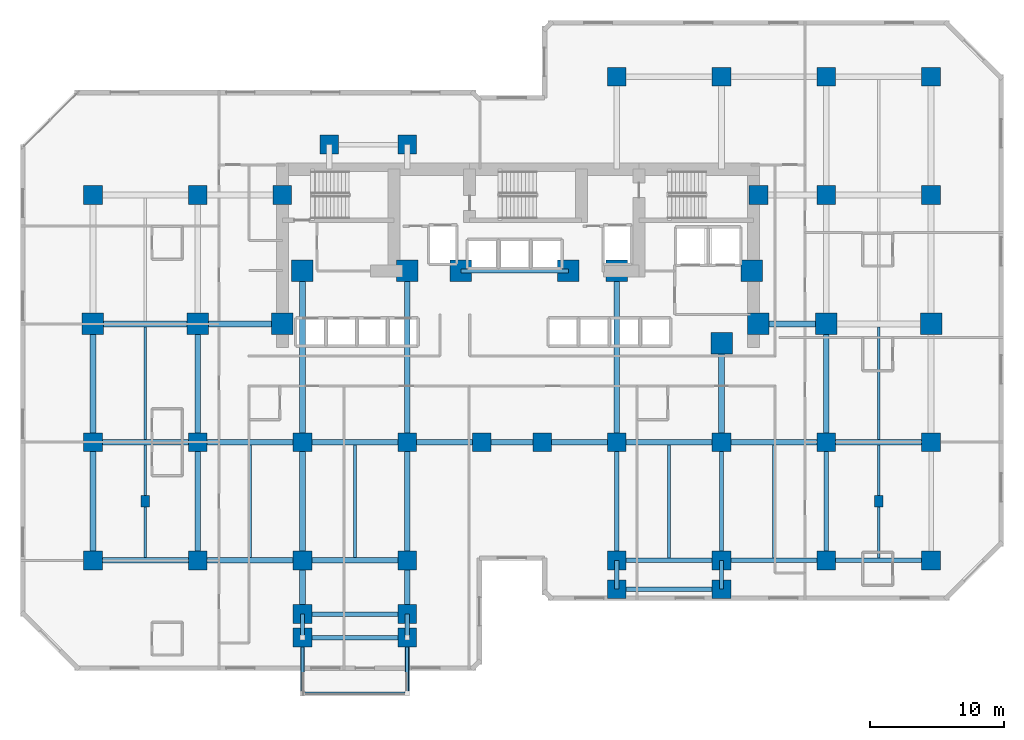
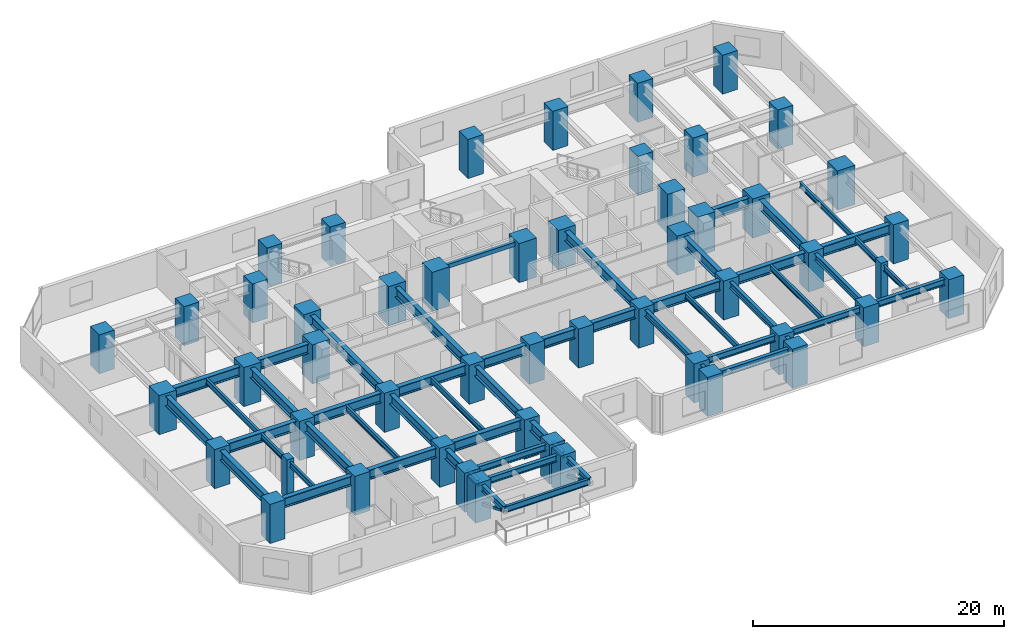
# One storey, part 1 of 11: 53 beams, 51 columns, 2 members.
"""IFC4 building model written with IfcOpenShell, lengths in metres."""

import ifcopenshell
import ifcopenshell.guid

model = None  # the IFC model being written
_history = None  # IfcOwnerHistory: only IFC2X3 demands one
_inside = {}  # id of a spatial element -> (the spatial element, [elements in it])
_under = {}  # id of a project, library or spatial element -> (it, [spatial elements below it])
_declared = {}  # id of a project -> (the project, [libraries it declares])
_typed = {}  # id of a type object -> (the type object, [elements of that type])
_made_of = {}  # id of a material, layer set ... -> (it, [elements and type objects made of it])


def new_model(schema):
    """Start an empty IFC model of exactly this schema.

    Asked for "IFC4X3", IfcOpenShell would pick the latest addendum, in which some entities
    have other attributes; the version numbers below select the first issue.
    IFC2X3 requires an IfcOwnerHistory on every rooted entity: one is made here for all.
    """
    global model, _history
    if schema == "IFC4X3":
        model = ifcopenshell.file(schema_version=(4, 3, 0, 0))
    else:
        model = ifcopenshell.file(schema=schema)
    _inside.clear()
    _under.clear()
    _declared.clear()
    _typed.clear()
    _made_of.clear()
    _history = None
    if model.schema == "IFC2X3":
        org = make("IfcOrganization", Name="unknown")
        user = make(
            "IfcPersonAndOrganization",
            ThePerson=make("IfcPerson", FamilyName="unknown"),
            TheOrganization=org,
        )
        app = make(
            "IfcApplication",
            ApplicationDeveloper=org,
            Version="unknown",
            ApplicationFullName="unknown",
            ApplicationIdentifier="unknown",
        )
        _history = make(
            "IfcOwnerHistory",
            OwningUser=user,
            OwningApplication=app,
            ChangeAction="ADDED",
            CreationDate=0,
        )
    return model


def make(cls, **values):
    """One entity of the class cls with the attributes given. An attribute that is None is left unset."""
    return model.create_entity(
        cls, **{name: value for name, value in values.items() if value is not None}
    )


def rooted(cls, **values):
    """An entity with a GlobalId (a new one), such as an element, a storey or a relation."""
    return make(cls, GlobalId=ifcopenshell.guid.new(), OwnerHistory=_history, **values)


def si_unit(unit_type, name, prefix=None):
    """IfcSIUnit, for example si_unit("LENGTHUNIT", "METRE", prefix="MILLI")."""
    return make("IfcSIUnit", UnitType=unit_type, Prefix=prefix, Name=name)


def assignment(units):
    """IfcUnitAssignment: the units of a project."""
    return None if units is None else make("IfcUnitAssignment", Units=units)


def point(xyz):
    """IfcCartesianPoint."""
    return None if xyz is None else make("IfcCartesianPoint", Coordinates=xyz)


def direction(xyz):
    """IfcDirection."""
    return None if xyz is None else make("IfcDirection", DirectionRatios=xyz)


def frame(location, z_axis=None, x_axis=None):
    """IfcAxis2Placement3D, a coordinate frame: its origin and axes. An axis left out is left unset."""
    return make(
        "IfcAxis2Placement3D",
        Location=point(location),
        Axis=direction(z_axis),
        RefDirection=direction(x_axis),
    )


def frame_2d(location, x_axis=None):
    """IfcAxis2Placement2D, a coordinate frame in the plane: its origin and x axis."""
    return make(
        "IfcAxis2Placement2D", Location=point(location), RefDirection=direction(x_axis)
    )


def origin():
    """The frame at (0, 0, 0) with its axes left unset."""
    return frame((0.0, 0.0, 0.0))


def origin_2d():
    """The frame at (0, 0) in the plane with its x axis left unset."""
    return frame_2d((0.0, 0.0))


def place(relative_to, where):
    """IfcLocalPlacement: puts the frame where relative to a parent placement (None: the world)."""
    return make(
        "IfcLocalPlacement", PlacementRelTo=relative_to, RelativePlacement=where
    )


def context(
    kind, dimensions, precision=None, world=None, true_north=None, identifier=None
):
    """IfcGeometricRepresentationContext, for example the 3D "Model" context."""
    return make(
        "IfcGeometricRepresentationContext",
        ContextIdentifier=identifier,
        ContextType=kind,
        CoordinateSpaceDimension=dimensions,
        Precision=precision,
        WorldCoordinateSystem=world,
        TrueNorth=true_north,
    )


def subcontext(parent, identifier, kind, view, scale=None):
    """IfcGeometricRepresentationSubContext, for example "Body" below "Model"."""
    return make(
        "IfcGeometricRepresentationSubContext",
        ContextIdentifier=identifier,
        ContextType=kind,
        ParentContext=parent,
        TargetScale=scale,
        TargetView=view,
    )


def project(units=None, contexts=None):
    """IfcProject with its units and contexts."""
    return rooted(
        "IfcProject",
        Name="project",
        RepresentationContexts=contexts,
        UnitsInContext=assignment(units),
    )


def spatial(cls, under=None, at=None, **own):
    """A site, building, storey or space (cls), placed at a placement, below another one or the project."""
    s = rooted(cls, ObjectPlacement=at, **own)
    if under is not None:
        _under.setdefault(under.id(), (under, []))[1].append(s)
    return s


def profile(cls, at=None, kind="AREA", **sizes):
    """A parametric profile (cls). Its sizes go by their IFC names, for example OverallWidth=200.0."""
    return make(cls, ProfileType=kind, Position=at, **sizes)


def rectangle(**sizes):
    """IfcRectangleProfileDef."""
    return profile("IfcRectangleProfileDef", **sizes)


def hollow_rectangle(**sizes):
    """IfcRectangleHollowProfileDef."""
    return profile("IfcRectangleHollowProfileDef", **sizes)


def i_section(**sizes):
    """IfcIShapeProfileDef."""
    return profile("IfcIShapeProfileDef", **sizes)


def extrude(swept, where, along, depth):
    """IfcExtrudedAreaSolid: the profile swept, set in the frame where, extruded along a direction by depth."""
    return make(
        "IfcExtrudedAreaSolid",
        SweptArea=swept,
        Position=where,
        ExtrudedDirection=direction(along),
        Depth=depth,
    )


def shape(context_of_items, identifier, shape_type, items):
    """IfcShapeRepresentation: the items that make up one representation, for example the "Body"."""
    return make(
        "IfcShapeRepresentation",
        ContextOfItems=context_of_items,
        RepresentationIdentifier=identifier,
        RepresentationType=shape_type,
        Items=items,
    )


def material(Name=None, Category=None):
    """IfcMaterial."""
    return make("IfcMaterial", Name=Name, Category=Category)


def material_profile(
    of_material, cross_section, Name=None, Category=None, Priority=None
):
    """IfcMaterialProfile: a cross section and its material."""
    return make(
        "IfcMaterialProfile",
        Name=Name,
        Material=of_material,
        Profile=cross_section,
        Priority=Priority,
        Category=Category,
    )


def profile_set(profiles, Name=None, composite=None):
    """IfcMaterialProfileSet."""
    return make(
        "IfcMaterialProfileSet",
        Name=Name,
        MaterialProfiles=profiles,
        CompositeProfile=composite,
    )


def made_of(thing, what):
    """Note that an element or type object is made of a material, layer set ...; save() writes the relation."""
    if what is not None:
        _made_of.setdefault(what.id(), (what, []))[1].append(thing)
    return thing


def type_object(cls, material=None, **own):
    """A type object (cls), such as IfcWallType, which elements share."""
    return made_of(rooted(cls, **own), material)


def element(
    cls,
    number,
    at=None,
    inside=None,
    cuts=None,
    type_object=None,
    material=None,
    context=None,
    identifier="Body",
    shape_type=None,
    held_by="IfcProductDefinitionShape",
    body=None,
    shapes=None,
    **own,
):
    """One element of the class cls, such as IfcWall. Its Tag is "e" and its number.

    at: its placement. inside: the storey or other place that contains it. cuts: it is an
    opening in that element (IfcRelVoidsElement). A single representation is given by context,
    identifier, shape_type and body (its items); several are given by shapes. held_by: the class
    of the entity that holds the representations. save() writes the other relations.
    """
    e = rooted(cls, Tag="e%d" % number, ObjectPlacement=at, **own)
    if body is not None:
        shapes = [shape(context, identifier, shape_type, body)]
    if shapes is not None:
        e.Representation = make(held_by, Representations=shapes)
    if inside is not None:
        _inside.setdefault(inside.id(), (inside, []))[1].append(e)
    if cuts is not None:
        rooted(
            "IfcRelVoidsElement", RelatingBuildingElement=cuts, RelatedOpeningElement=e
        )
    if type_object is not None:
        _typed.setdefault(type_object.id(), (type_object, []))[1].append(e)
    return made_of(e, material)


def aggregate(whole, parts):
    """IfcRelAggregates: a whole, such as a stair, and the parts it consists of."""
    return rooted("IfcRelAggregates", RelatingObject=whole, RelatedObjects=parts)


def save(model, path):
    """Write the relations noted so far, then the file.

    IfcRelAggregates (storeys below a building ...), IfcRelContainedInSpatialStructure (elements
    in a storey), IfcRelDefinesByType, IfcRelAssociatesMaterial and IfcRelDeclares: one each for
    every whole, place, type object, material and project.
    """
    for whole, parts in _under.values():
        aggregate(whole, parts)
    for where, things in _inside.values():
        rooted(
            "IfcRelContainedInSpatialStructure",
            RelatedElements=things,
            RelatingStructure=where,
        )
    for kind, things in _typed.values():
        rooted("IfcRelDefinesByType", RelatedObjects=things, RelatingType=kind)
    for what, things in _made_of.values():
        rooted("IfcRelAssociatesMaterial", RelatedObjects=things, RelatingMaterial=what)
    for by, libraries in _declared.values():
        rooted("IfcRelDeclares", RelatingContext=by, RelatedDefinitions=libraries)
    model.write(path)


model = new_model("IFC4")

# Units and contexts
model_context = context("Model", 3, precision=1e-05, world=origin(), true_north=direction((0.0, 1.0)))
body_context = subcontext(model_context, "Body", "Model", "MODEL_VIEW")
ifc_project = project(units=[si_unit("LENGTHUNIT", "METRE"), si_unit("AREAUNIT", "SQUARE_METRE"), si_unit("VOLUMEUNIT", "CUBIC_METRE"), si_unit("PLANEANGLEUNIT", "RADIAN"), si_unit("MASSUNIT", "GRAM", prefix="KILO")], contexts=[model_context])

# Site, building, storey
site_placement = place(None, origin())
site = spatial("IfcSite", under=ifc_project, at=site_placement, CompositionType="ELEMENT")
building_placement = place(site_placement, origin())
building = spatial("IfcBuilding", under=site, at=building_placement, Name="Kestravale Grand Hotel", CompositionType="ELEMENT")
storey_placement = place(building_placement, frame((0.0, 0.0, 45.0)))
storey = spatial("IfcBuildingStorey", under=building, at=storey_placement, Name="L10", CompositionType="ELEMENT", Elevation=45.0)

# Columns
ifc_material_1 = material(Name="Concrete f'c 70 MPa", Category="concrete")
ifc_material_profile_1 = material_profile(ifc_material_1, rectangle(XDim=1.39990234375, YDim=1.39990234375, at=origin_2d()))
ifc_profile_set_1 = profile_set([ifc_material_profile_1], Name="Concrete f'c 70 MPa")
column_type_1 = type_object("IfcColumnType", Name="C-Z1-1400", PredefinedType="COLUMN", material=ifc_profile_set_1)
for number, where, z_axis, x_axis, name in (
    (1, (7.800048828125, 11.199951171875, 0.0), (0.0, 0.0, 1.0), (1.0, 0.0, 0.0), "L10 column 2-C"),
    (2, (7.800048828125, 20.0, 0.0), (0.0, 0.0, 1.0), (1.0, 0.0, 0.0), "L10 column 2-D"),
    (3, (7.800048828125, 38.39990234375, 0.0), (0.0, 0.0, 1.0), (1.0, 0.0, 0.0), "L10 column 2-F"),
    (4, (15.60009765625, 11.199951171875, 0.0), (0.0, 0.0, 1.0), (1.0, 0.0, 0.0), "L10 column 3-C"),
    (5, (15.60009765625, 20.0, 0.0), (0.0, 0.0, 1.0), (1.0, 0.0, 0.0), "L10 column 3-D"),
    (6, (15.60009765625, 38.39990234375, 0.0), (0.0, 0.0, 1.0), (1.0, 0.0, 0.0), "L10 column 3-F"),
    (7, (23.39990234375, 11.199951171875, 0.0), (0.0, 0.0, 1.0), (1.0, 0.0, 0.0), "L10 column 4-C"),
    (8, (23.39990234375, 20.0, 0.0), (0.0, 0.0, 1.0), (1.0, 0.0, 0.0), "L10 column 4-D"),
    (9, (31.199951171875, 11.199951171875, 0.0), (0.0, 0.0, 1.0), (1.0, 0.0, 0.0), "L10 column 5-C"),
    (10, (31.199951171875, 20.0, 0.0), (0.0, 0.0, 1.0), (1.0, 0.0, 0.0), "L10 column 5-D"),
    (11, (36.75, 20.0, 0.0), (0.0, 0.0, 1.0), (1.0, 0.0, 0.0), "L10 column 6-D"),
    (12, (41.25, 20.0, 0.0), (0.0, 0.0, 1.0), (1.0, 0.0, 0.0), "L10 column 7-D"),
    (13, (46.800048828125, 11.199951171875, 0.0), (0.0, 0.0, 1.0), (1.0, 0.0, 0.0), "L10 column 8-C"),
    (14, (46.800048828125, 20.0, 0.0), (0.0, 0.0, 1.0), (1.0, 0.0, 0.0), "L10 column 8-D"),
    (15, (46.800048828125, 47.199951171875, 0.0), (0.0, 0.0, 1.0), (1.0, 0.0, 0.0), "L10 column 8-G"),
    (16, (54.60009765625, 11.199951171875, 0.0), (0.0, 0.0, 1.0), (1.0, 0.0, 0.0), "L10 column 9-C"),
    (17, (54.60009765625, 20.0, 0.0), (0.0, 0.0, 1.0), (1.0, 0.0, 0.0), "L10 column 9-D"),
    (18, (54.60009765625, 47.199951171875, 0.0), (0.0, 0.0, 1.0), (1.0, 0.0, 0.0), "L10 column 9-G"),
    (19, (62.39990234375, 11.199951171875, 0.0), (0.0, 0.0, 1.0), (1.0, 0.0, 0.0), "L10 column 10-C"),
    (20, (62.39990234375, 20.0, 0.0), (0.0, 0.0, 1.0), (1.0, 0.0, 0.0), "L10 column 10-D"),
    (21, (62.39990234375, 38.39990234375, 0.0), (0.0, 0.0, 1.0), (1.0, 0.0, 0.0), "L10 column 10-F"),
    (22, (62.39990234375, 47.199951171875, 0.0), (0.0, 0.0, 1.0), (1.0, 0.0, 0.0), "L10 column 10-G"),
    (23, (70.199951171875, 11.199951171875, 0.0), (0.0, 0.0, 1.0), (1.0, 0.0, 0.0), "L10 column 11-C"),
    (24, (70.199951171875, 20.0, 0.0), (0.0, 0.0, 1.0), (1.0, 0.0, 0.0), "L10 column 11-D"),
    (25, (70.199951171875, 38.39990234375, 0.0), (0.0, 0.0, 1.0), (1.0, 0.0, 0.0), "L10 column 11-F"),
    (26, (70.199951171875, 47.199951171875, 0.0), (0.0, 0.0, 1.0), (1.0, 0.0, 0.0), "L10 column 11-G"),
    (27, (21.89990234375, 38.39990234375, 0.0), (0.0, 0.0, 1.0), (1.0, 0.0, 0.0), "L10 column CW-F"),
    (28, (57.35009765625, 38.39990234375, 0.0), (0.0, 0.0, 1.0), (1.0, 0.0, 0.0), "L10 column CE-F"),
    (29, (23.39990234375, 7.199951171875, 0.0), (0.0, 0.0, 1.0), (1.0, 0.0, 0.0), "L10 column 4-BS"),
    (30, (31.199951171875, 7.199951171875, 0.0), (0.0, 0.0, 1.0), (1.0, 0.0, 0.0), "L10 column 5-BS"),
    (31, (25.39990234375, 42.14990234375, 0.0), (0.0, 0.0, 1.0), (1.0, 0.0, 0.0), "L10 column 4-FN"),
    (32, (31.199951171875, 42.14990234375, 0.0), (0.0, 0.0, 1.0), (1.0, 0.0, 0.0), "L10 column 5-FN"),
    (33, (23.39990234375, 5.449951171875, 0.0), (0.0, 0.0, 1.0), (1.0, 0.0, 0.0), "L10 column 4-B1S"),
    (34, (31.199951171875, 5.449951171875, 0.0), (0.0, 0.0, 1.0), (1.0, 0.0, 0.0), "L10 column 5-B1S"),
    (35, (46.800048828125, 9.050048828125, 0.0), (0.0, 0.0, 1.0), (1.0, 0.0, 0.0), "L10 column 8-B1E"),
    (36, (54.60009765625, 9.050048828125, 0.0), (0.0, 0.0, 1.0), (1.0, 0.0, 0.0), "L10 column 9-B1E"),
):
    element("IfcColumn", number, at=place(storey_placement, frame(where, z_axis=z_axis, x_axis=x_axis)), inside=storey, type_object=column_type_1, Name=name, PredefinedType="COLUMN", context=body_context, shape_type="SweptSolid", body=[
        extrude(rectangle(XDim=1.39990234375, YDim=1.39990234375, at=origin_2d()), origin(), (0.0, 0.0, 1.0), 3.800048828125),
    ])
ifc_material_2 = material(Name="Concrete f'c 70 MPa", Category="concrete")
ifc_material_profile_2 = material_profile(ifc_material_2, rectangle(XDim=1.60009765625, YDim=1.60009765625, at=origin_2d()))
ifc_profile_set_2 = profile_set([ifc_material_profile_2], Name="Concrete f'c 70 MPa")
column_type_2 = type_object("IfcColumnType", Name="C-Z1-1600", PredefinedType="COLUMN", material=ifc_profile_set_2)
for number, where, z_axis, x_axis, name in (
    (37, (7.800048828125, 28.800048828125, 0.0), (0.0, 0.0, 1.0), (1.0, 0.0, 0.0), "L10 column 2-E"),
    (38, (15.60009765625, 28.800048828125, 0.0), (0.0, 0.0, 1.0), (1.0, 0.0, 0.0), "L10 column 3-E"),
    (39, (62.39990234375, 28.800048828125, 0.0), (0.0, 0.0, 1.0), (1.0, 0.0, 0.0), "L10 column 10-E"),
    (40, (70.199951171875, 28.800048828125, 0.0), (0.0, 0.0, 1.0), (1.0, 0.0, 0.0), "L10 column 11-E"),
    (41, (21.89990234375, 28.800048828125, 0.0), (0.0, 0.0, 1.0), (1.0, 0.0, 0.0), "L10 column CW-E"),
    (42, (57.35009765625, 28.800048828125, 0.0), (0.0, 0.0, 1.0), (1.0, 0.0, 0.0), "L10 column CE-E"),
    (43, (23.39990234375, 32.75, 0.0), (0.0, 0.0, 1.0), (1.0, 0.0, 0.0), "L10 column 4-CS"),
    (44, (31.199951171875, 32.75, 0.0), (0.0, 0.0, 1.0), (1.0, 0.0, 0.0), "L10 column 5-CS"),
    (45, (35.199951171875, 32.75, 0.0), (0.0, 0.0, 1.0), (1.0, 0.0, 0.0), "L10 column 6C-CS"),
    (46, (43.199951171875, 32.75, 0.0), (0.0, 0.0, 1.0), (1.0, 0.0, 0.0), "L10 column 7C-CS"),
    (47, (46.800048828125, 32.75, 0.0), (0.0, 0.0, 1.0), (1.0, 0.0, 0.0), "L10 column 8-CS"),
    (48, (54.60009765625, 27.35009765625, 0.0), (0.0, 0.0, 1.0), (1.0, 0.0, 0.0), "L10 column 9-CS"),
    (49, (56.85009765625, 32.75, 0.0), (0.0, 0.0, 1.0), (1.0, 0.0, 0.0), "L10 column 9C-CS"),
):
    element("IfcColumn", number, at=place(storey_placement, frame(where, z_axis=z_axis, x_axis=x_axis)), inside=storey, type_object=column_type_2, Name=name, PredefinedType="COLUMN", context=body_context, shape_type="SweptSolid", body=[
        extrude(rectangle(XDim=1.60009765625, YDim=1.60009765625, at=origin_2d()), origin(), (0.0, 0.0, 1.0), 3.800048828125),
    ])
ifc_material_3 = material(Name="Precast concrete f'c 45 MPa", Category="concrete")
ifc_material_profile_3 = material_profile(ifc_material_3, rectangle(XDim=0.64990234375, YDim=0.85009765625, at=origin_2d()))
ifc_profile_set_3 = profile_set([ifc_material_profile_3], Name="Precast concrete f'c 45 MPa")
column_type_3 = type_object("IfcColumnType", Name="C-Z1-PIL850", PredefinedType="PILASTER", material=ifc_profile_set_3)
for number, where, z_axis, x_axis, name in (
    (50, (11.699951171875, 15.60009765625, 0.0), (0.0, 0.0, 1.0), (1.0, 0.0, 0.0), "L10 Art Deco fluted pilaster P1"),
    (51, (66.300048828125, 15.60009765625, 0.0), (0.0, 0.0, 1.0), (1.0, 0.0, 0.0), "L10 Art Deco fluted pilaster P2"),
):
    element("IfcColumn", number, at=place(storey_placement, frame(where, z_axis=z_axis, x_axis=x_axis)), inside=storey, type_object=column_type_3, Name=name, PredefinedType="PILASTER", context=body_context, shape_type="SweptSolid", body=[
        extrude(rectangle(XDim=0.64990234375, YDim=0.85009765625, at=origin_2d()), origin(), (0.0, 0.0, 1.0), 3.800048828125),
    ])

# Beams
ifc_material_4 = material(Name="Steel ASTM A992 Grade 50", Category="steel")
ifc_material_profile_4 = material_profile(ifc_material_4, i_section(OverallWidth=0.2099609375, OverallDepth=0.535888671875, WebThickness=0.010986328125, FlangeThickness=0.017333984375, FilletRadius=0.017578125, at=origin_2d()))
ifc_profile_set_4 = profile_set([ifc_material_profile_4], Name="Steel ASTM A992 Grade 50")
beam_type_1 = type_object("IfcBeamType", Name="B-FLR-JST21", PredefinedType="JOIST", material=ifc_profile_set_4)
for number, where, z_axis, x_axis, name in (
    (52, (11.699951171875, 11.412109375, 3.27197265625), (0.0, 1.0, 0.0), (-1.0, 0.0, 0.0), "L10 floor joist 2-3/C-D #1"),
    (53, (11.699951171875, 20.2119140625, 3.27197265625), (0.0, 1.0, 0.0), (-1.0, 0.0, 0.0), "L10 floor joist 2-3/D-E #1"),
    (54, (19.5, 11.412109375, 3.27197265625), (0.0, 1.0, 0.0), (-1.0, 0.0, 0.0), "L10 floor joist 3-4/C-D #1"),
    (55, (27.300048828125, 11.412109375, 3.27197265625), (0.0, 1.0, 0.0), (-1.0, 0.0, 0.0), "L10 floor joist 4-5/C-D #1"),
):
    element("IfcBeam", number, at=place(storey_placement, frame(where, z_axis=z_axis, x_axis=x_axis)), inside=storey, type_object=beam_type_1, Name=name, PredefinedType="JOIST", context=body_context, shape_type="SweptSolid", body=[
        extrude(i_section(OverallWidth=0.2099609375, OverallDepth=0.535888671875, WebThickness=0.010986328125, FlangeThickness=0.017333984375, FilletRadius=0.017578125, at=origin_2d()), origin(), (0.0, 0.0, 1.0), 8.3759765625),
    ])
for number, where, z_axis, x_axis, name in (
    (56, (50.699951171875, 11.362548828125, 3.27197265625), (0.0, 1.0, 0.0), (-1.0, 0.0, 0.0), "L10 floor joist 8-9/C-D #1"),
    (57, (58.5, 11.362548828125, 3.27197265625), (0.0, 1.0, 0.0), (-1.0, 0.0, 0.0), "L10 floor joist 9-10/C-D #1"),
    (58, (66.300048828125, 11.362548828125, 3.27197265625), (0.0, 1.0, 0.0), (-1.0, 0.0, 0.0), "L10 floor joist 10-11/C-D #1"),
):
    element("IfcBeam", number, at=place(storey_placement, frame(where, z_axis=z_axis, x_axis=x_axis)), inside=storey, type_object=beam_type_1, Name=name, PredefinedType="JOIST", context=body_context, shape_type="SweptSolid", body=[
        extrude(i_section(OverallWidth=0.2099609375, OverallDepth=0.535888671875, WebThickness=0.010986328125, FlangeThickness=0.017333984375, FilletRadius=0.017578125, at=origin_2d()), origin(), (0.0, 0.0, 1.0), 8.425537109375),
    ])
beam_1_placement = place(storey_placement, frame((66.300048828125, 20.2119140625, 3.27197265625), z_axis=(0.0, 1.0, 0.0), x_axis=(-1.0, 0.0, 0.0)))
element("IfcBeam", 59, at=beam_1_placement, inside=storey, type_object=beam_type_1, Name="L10 floor joist 10-11/D-E #1", PredefinedType="JOIST", context=body_context, shape_type="SweptSolid", body=[
    extrude(i_section(OverallWidth=0.2099609375, OverallDepth=0.535888671875, WebThickness=0.010986328125, FlangeThickness=0.017333984375, FilletRadius=0.017578125, at=origin_2d()), origin(), (0.0, 0.0, 1.0), 8.3759765625),
])
ifc_material_5 = material(Name="Concrete f'c 45 MPa", Category="concrete")
ifc_material_profile_5 = material_profile(ifc_material_5, rectangle(XDim=0.300048828125, YDim=0.39990234375, at=origin_2d()))
ifc_profile_set_5 = profile_set([ifc_material_profile_5], Name="Concrete f'c 45 MPa")
beam_type_2 = type_object("IfcBeamType", Name="B-FLR-LNT400", PredefinedType="LINTEL", material=ifc_profile_set_5)
beam_2_placement = place(storey_placement, frame((35.199951171875, 32.75, 3.340087890625), z_axis=(1.0, 0.0, 0.0), x_axis=(0.0, 1.0, 0.0)))
element("IfcBeam", 60, at=beam_2_placement, inside=storey, type_object=beam_type_2, Name="L10 core portal header lintel", PredefinedType="LINTEL", context=body_context, shape_type="SweptSolid", body=[
    extrude(rectangle(XDim=0.300048828125, YDim=0.39990234375, at=origin_2d()), origin(), (0.0, 0.0, 1.0), 8.0),
])
ifc_material_6 = material(Name="Steel ASTM A992 Grade 50", Category="steel")
ifc_material_profile_6 = material_profile(ifc_material_6, i_section(OverallWidth=0.324951171875, OverallDepth=0.612060546875, WebThickness=0.0126953125, FlangeThickness=0.01904296875, FilletRadius=0.018798828125, at=origin_2d()))
ifc_profile_set_6 = profile_set([ifc_material_profile_6], Name="Steel ASTM A992 Grade 50")
beam_type_3 = type_object("IfcBeamType", Name="B-FLR-W24A", PredefinedType="SPANDREL", material=ifc_profile_set_6)
beam_3_placement = place(storey_placement, frame((46.800048828125, 11.199951171875, 3.23388671875), z_axis=(1.0, 0.0, 0.0), x_axis=(0.0, 1.0, 0.0)))
element("IfcBeam", 61, at=beam_3_placement, inside=storey, type_object=beam_type_3, Name="L10 spandrel C:8-9", PredefinedType="SPANDREL", context=body_context, shape_type="SweptSolid", body=[
    extrude(i_section(OverallWidth=0.324951171875, OverallDepth=0.612060546875, WebThickness=0.0126953125, FlangeThickness=0.01904296875, FilletRadius=0.018798828125, at=origin_2d()), origin(), (0.0, 0.0, 1.0), 7.800048828125),
])
beam_4_placement = place(storey_placement, frame((54.60009765625, 11.199951171875, 3.23388671875), z_axis=(1.0, 0.0, 0.0), x_axis=(0.0, 1.0, 0.0)))
element("IfcBeam", 62, at=beam_4_placement, inside=storey, type_object=beam_type_3, Name="L10 spandrel C:9-10", PredefinedType="SPANDREL", context=body_context, shape_type="SweptSolid", body=[
    extrude(i_section(OverallWidth=0.324951171875, OverallDepth=0.612060546875, WebThickness=0.0126953125, FlangeThickness=0.01904296875, FilletRadius=0.018798828125, at=origin_2d()), origin(), (0.0, 0.0, 1.0), 7.7998046875),
])
for number, where, z_axis, x_axis, name in (
    (63, (62.39990234375, 11.199951171875, 3.23388671875), (1.0, 0.0, 0.0), (0.0, 1.0, 0.0), "L10 spandrel C:10-11"),
    (64, (23.39990234375, 5.449951171875, 3.23388671875), (1.0, 0.0, 0.0), (0.0, 1.0, 0.0), "L10 perimeter tie spandrel B1S:4-5"),
    (65, (46.800048828125, 9.050048828125, 3.23388671875), (1.0, 0.0, 0.0), (0.0, 1.0, 0.0), "L10 perimeter tie spandrel B1E:8-9"),
    (66, (23.39990234375, 7.199951171875, 3.23388671875), (1.0, 0.0, 0.0), (0.0, 1.0, 0.0), "L10 perimeter tie spandrel BS:4-5"),
):
    element("IfcBeam", number, at=place(storey_placement, frame(where, z_axis=z_axis, x_axis=x_axis)), inside=storey, type_object=beam_type_3, Name=name, PredefinedType="SPANDREL", context=body_context, shape_type="SweptSolid", body=[
        extrude(i_section(OverallWidth=0.324951171875, OverallDepth=0.612060546875, WebThickness=0.0126953125, FlangeThickness=0.01904296875, FilletRadius=0.018798828125, at=origin_2d()), origin(), (0.0, 0.0, 1.0), 7.800048828125),
    ])
for number, where, z_axis, x_axis, name in (
    (67, (23.39990234375, 5.449951171875, 3.23388671875), (0.0, 1.0, 0.0), (-1.0, 0.0, 0.0), "L10 spandrel 4:B1S-BS"),
    (68, (31.199951171875, 5.449951171875, 3.23388671875), (0.0, 1.0, 0.0), (-1.0, 0.0, 0.0), "L10 spandrel 5:B1S-BS"),
):
    element("IfcBeam", number, at=place(storey_placement, frame(where, z_axis=z_axis, x_axis=x_axis)), inside=storey, type_object=beam_type_3, Name=name, PredefinedType="SPANDREL", context=body_context, shape_type="SweptSolid", body=[
        extrude(i_section(OverallWidth=0.324951171875, OverallDepth=0.612060546875, WebThickness=0.0126953125, FlangeThickness=0.01904296875, FilletRadius=0.018798828125, at=origin_2d()), origin(), (0.0, 0.0, 1.0), 1.75),
    ])
beam_5_placement = place(storey_placement, frame((46.800048828125, 9.050048828125, 3.23388671875), z_axis=(0.0, 1.0, 0.0), x_axis=(-1.0, 0.0, 0.0)))
element("IfcBeam", 69, at=beam_5_placement, inside=storey, type_object=beam_type_3, Name="L10 spandrel 8:B1E-C", PredefinedType="SPANDREL", context=body_context, shape_type="SweptSolid", body=[
    extrude(i_section(OverallWidth=0.324951171875, OverallDepth=0.612060546875, WebThickness=0.0126953125, FlangeThickness=0.01904296875, FilletRadius=0.018798828125, at=origin_2d()), origin(), (0.0, 0.0, 1.0), 2.14990234375),
])
beam_6_placement = place(storey_placement, frame((46.800048828125, 11.199951171875, 3.23388671875), z_axis=(0.0, 1.0, 0.0), x_axis=(-1.0, 0.0, 0.0)))
element("IfcBeam", 70, at=beam_6_placement, inside=storey, type_object=beam_type_3, Name="L10 spandrel 8:C-D", PredefinedType="SPANDREL", context=body_context, shape_type="SweptSolid", body=[
    extrude(i_section(OverallWidth=0.324951171875, OverallDepth=0.612060546875, WebThickness=0.0126953125, FlangeThickness=0.01904296875, FilletRadius=0.018798828125, at=origin_2d()), origin(), (0.0, 0.0, 1.0), 8.800048828125),
])
beam_7_placement = place(storey_placement, frame((54.60009765625, 9.050048828125, 3.23388671875), z_axis=(0.0, 1.0, 0.0), x_axis=(-1.0, 0.0, 0.0)))
element("IfcBeam", 71, at=beam_7_placement, inside=storey, type_object=beam_type_3, Name="L10 spandrel 9:B1E-C", PredefinedType="SPANDREL", context=body_context, shape_type="SweptSolid", body=[
    extrude(i_section(OverallWidth=0.324951171875, OverallDepth=0.612060546875, WebThickness=0.0126953125, FlangeThickness=0.01904296875, FilletRadius=0.018798828125, at=origin_2d()), origin(), (0.0, 0.0, 1.0), 2.14990234375),
])
for number, where, z_axis, x_axis, name in (
    (72, (54.60009765625, 11.199951171875, 3.23388671875), (0.0, 1.0, 0.0), (-1.0, 0.0, 0.0), "L10 spandrel 9:C-D"),
    (73, (62.39990234375, 11.199951171875, 3.23388671875), (0.0, 1.0, 0.0), (-1.0, 0.0, 0.0), "L10 spandrel 10:C-D"),
):
    element("IfcBeam", number, at=place(storey_placement, frame(where, z_axis=z_axis, x_axis=x_axis)), inside=storey, type_object=beam_type_3, Name=name, PredefinedType="SPANDREL", context=body_context, shape_type="SweptSolid", body=[
        extrude(i_section(OverallWidth=0.324951171875, OverallDepth=0.612060546875, WebThickness=0.0126953125, FlangeThickness=0.01904296875, FilletRadius=0.018798828125, at=origin_2d()), origin(), (0.0, 0.0, 1.0), 8.800048828125),
    ])
for number, where, z_axis, x_axis, name in (
    (74, (23.39990234375, 5.449951171875, 3.22412109375), (0.0, -1.0, 0.0), (1.0, 0.0, 0.0), "L11 terrace cantilever beam 1"),
    (75, (31.199951171875, 5.449951171875, 3.22412109375), (0.0, -1.0, 0.0), (1.0, 0.0, 0.0), "L11 terrace cantilever beam 2"),
):
    element("IfcBeam", number, at=place(storey_placement, frame(where, z_axis=z_axis, x_axis=x_axis)), inside=storey, type_object=beam_type_3, Name=name, PredefinedType="SPANDREL", context=body_context, shape_type="SweptSolid", body=[
        extrude(i_section(OverallWidth=0.324951171875, OverallDepth=0.612060546875, WebThickness=0.0126953125, FlangeThickness=0.01904296875, FilletRadius=0.018798828125, at=origin_2d()), origin(), (0.0, 0.0, 1.0), 4.14990234375),
    ])
ifc_material_7 = material(Name="Steel ASTM A992 Grade 50", Category="steel")
ifc_material_profile_7 = material_profile(ifc_material_7, i_section(OverallWidth=0.22900390625, OverallDepth=0.612060546875, WebThickness=0.011962890625, FlangeThickness=0.01953125, FilletRadius=0.019287109375, at=origin_2d()))
ifc_profile_set_7 = profile_set([ifc_material_profile_7], Name="Steel ASTM A992 Grade 50")
beam_type_4 = type_object("IfcBeamType", Name="B-FLR-W24B", PredefinedType="SPANDREL", material=ifc_profile_set_7)
beam_8_placement = place(storey_placement, frame((23.39990234375, 1.300048828125, 3.22412109375), z_axis=(1.0, 0.0, 0.0), x_axis=(0.0, 1.0, 0.0)))
element("IfcBeam", 76, at=beam_8_placement, inside=storey, type_object=beam_type_4, Name="L11 terrace edge spandrel", PredefinedType="SPANDREL", context=body_context, shape_type="SweptSolid", body=[
    extrude(i_section(OverallWidth=0.22900390625, OverallDepth=0.612060546875, WebThickness=0.011962890625, FlangeThickness=0.01953125, FilletRadius=0.019287109375, at=origin_2d()), origin(), (0.0, 0.0, 1.0), 7.800048828125),
])
ifc_material_8 = material(Name="Steel ASTM A992 Grade 50", Category="steel")
ifc_material_profile_8 = material_profile(ifc_material_8, i_section(OverallWidth=0.424072265625, OverallDepth=0.947021484375, WebThickness=0.02392578125, FlangeThickness=0.042724609375, FilletRadius=0.0283203125, at=origin_2d()))
ifc_profile_set_8 = profile_set([ifc_material_profile_8], Name="Steel ASTM A992 Grade 50")
beam_type_5 = type_object("IfcBeamType", Name="B-GRD-W36", PredefinedType="BEAM", material=ifc_profile_set_8)
beam_9_placement = place(storey_placement, frame((7.800048828125, 11.199951171875, 3.06640625), z_axis=(1.0, 0.0, 0.0), x_axis=(0.0, 1.0, 0.0)))
element("IfcBeam", 77, at=beam_9_placement, inside=storey, type_object=beam_type_5, Name="L10 girder C:2-3", PredefinedType="BEAM", context=body_context, shape_type="SweptSolid", body=[
    extrude(i_section(OverallWidth=0.424072265625, OverallDepth=0.947021484375, WebThickness=0.02392578125, FlangeThickness=0.042724609375, FilletRadius=0.0283203125, at=origin_2d()), origin(), (0.0, 0.0, 1.0), 7.800048828125),
])
beam_10_placement = place(storey_placement, frame((15.60009765625, 11.199951171875, 3.06640625), z_axis=(1.0, 0.0, 0.0), x_axis=(0.0, 1.0, 0.0)))
element("IfcBeam", 78, at=beam_10_placement, inside=storey, type_object=beam_type_5, Name="L10 girder C:3-4", PredefinedType="BEAM", context=body_context, shape_type="SweptSolid", body=[
    extrude(i_section(OverallWidth=0.424072265625, OverallDepth=0.947021484375, WebThickness=0.02392578125, FlangeThickness=0.042724609375, FilletRadius=0.0283203125, at=origin_2d()), origin(), (0.0, 0.0, 1.0), 7.7998046875),
])
for number, where, z_axis, x_axis, name in (
    (79, (23.39990234375, 11.199951171875, 3.06640625), (1.0, 0.0, 0.0), (0.0, 1.0, 0.0), "L10 girder C:4-5"),
    (80, (7.800048828125, 20.0, 3.06640625), (1.0, 0.0, 0.0), (0.0, 1.0, 0.0), "L10 girder D:2-3"),
):
    element("IfcBeam", number, at=place(storey_placement, frame(where, z_axis=z_axis, x_axis=x_axis)), inside=storey, type_object=beam_type_5, Name=name, PredefinedType="BEAM", context=body_context, shape_type="SweptSolid", body=[
        extrude(i_section(OverallWidth=0.424072265625, OverallDepth=0.947021484375, WebThickness=0.02392578125, FlangeThickness=0.042724609375, FilletRadius=0.0283203125, at=origin_2d()), origin(), (0.0, 0.0, 1.0), 7.800048828125),
    ])
beam_11_placement = place(storey_placement, frame((15.60009765625, 20.0, 3.06640625), z_axis=(1.0, 0.0, 0.0), x_axis=(0.0, 1.0, 0.0)))
element("IfcBeam", 81, at=beam_11_placement, inside=storey, type_object=beam_type_5, Name="L10 girder D:3-4", PredefinedType="BEAM", context=body_context, shape_type="SweptSolid", body=[
    extrude(i_section(OverallWidth=0.424072265625, OverallDepth=0.947021484375, WebThickness=0.02392578125, FlangeThickness=0.042724609375, FilletRadius=0.0283203125, at=origin_2d()), origin(), (0.0, 0.0, 1.0), 7.7998046875),
])
beam_12_placement = place(storey_placement, frame((23.39990234375, 20.0, 3.06640625), z_axis=(1.0, 0.0, 0.0), x_axis=(0.0, 1.0, 0.0)))
element("IfcBeam", 82, at=beam_12_placement, inside=storey, type_object=beam_type_5, Name="L10 girder D:4-5", PredefinedType="BEAM", context=body_context, shape_type="SweptSolid", body=[
    extrude(i_section(OverallWidth=0.424072265625, OverallDepth=0.947021484375, WebThickness=0.02392578125, FlangeThickness=0.042724609375, FilletRadius=0.0283203125, at=origin_2d()), origin(), (0.0, 0.0, 1.0), 7.800048828125),
])
beam_13_placement = place(storey_placement, frame((31.199951171875, 20.0, 3.06640625), z_axis=(1.0, 0.0, 0.0), x_axis=(0.0, 1.0, 0.0)))
element("IfcBeam", 83, at=beam_13_placement, inside=storey, type_object=beam_type_5, Name="L10 girder D:5-6", PredefinedType="BEAM", context=body_context, shape_type="SweptSolid", body=[
    extrude(i_section(OverallWidth=0.424072265625, OverallDepth=0.947021484375, WebThickness=0.02392578125, FlangeThickness=0.042724609375, FilletRadius=0.0283203125, at=origin_2d()), origin(), (0.0, 0.0, 1.0), 5.550048828125),
])
beam_14_placement = place(storey_placement, frame((36.75, 20.0, 3.06640625), z_axis=(1.0, 0.0, 0.0), x_axis=(0.0, 1.0, 0.0)))
element("IfcBeam", 84, at=beam_14_placement, inside=storey, type_object=beam_type_5, Name="L10 girder D:6-7", PredefinedType="BEAM", context=body_context, shape_type="SweptSolid", body=[
    extrude(i_section(OverallWidth=0.424072265625, OverallDepth=0.947021484375, WebThickness=0.02392578125, FlangeThickness=0.042724609375, FilletRadius=0.0283203125, at=origin_2d()), origin(), (0.0, 0.0, 1.0), 4.5),
])
beam_15_placement = place(storey_placement, frame((41.25, 20.0, 3.06640625), z_axis=(1.0, 0.0, 0.0), x_axis=(0.0, 1.0, 0.0)))
element("IfcBeam", 85, at=beam_15_placement, inside=storey, type_object=beam_type_5, Name="L10 girder D:7-8", PredefinedType="BEAM", context=body_context, shape_type="SweptSolid", body=[
    extrude(i_section(OverallWidth=0.424072265625, OverallDepth=0.947021484375, WebThickness=0.02392578125, FlangeThickness=0.042724609375, FilletRadius=0.0283203125, at=origin_2d()), origin(), (0.0, 0.0, 1.0), 5.550048828125),
])
beam_16_placement = place(storey_placement, frame((46.800048828125, 20.0, 3.06640625), z_axis=(1.0, 0.0, 0.0), x_axis=(0.0, 1.0, 0.0)))
element("IfcBeam", 86, at=beam_16_placement, inside=storey, type_object=beam_type_5, Name="L10 girder D:8-9", PredefinedType="BEAM", context=body_context, shape_type="SweptSolid", body=[
    extrude(i_section(OverallWidth=0.424072265625, OverallDepth=0.947021484375, WebThickness=0.02392578125, FlangeThickness=0.042724609375, FilletRadius=0.0283203125, at=origin_2d()), origin(), (0.0, 0.0, 1.0), 7.800048828125),
])
beam_17_placement = place(storey_placement, frame((54.60009765625, 20.0, 3.06640625), z_axis=(1.0, 0.0, 0.0), x_axis=(0.0, 1.0, 0.0)))
element("IfcBeam", 87, at=beam_17_placement, inside=storey, type_object=beam_type_5, Name="L10 girder D:9-10", PredefinedType="BEAM", context=body_context, shape_type="SweptSolid", body=[
    extrude(i_section(OverallWidth=0.424072265625, OverallDepth=0.947021484375, WebThickness=0.02392578125, FlangeThickness=0.042724609375, FilletRadius=0.0283203125, at=origin_2d()), origin(), (0.0, 0.0, 1.0), 7.7998046875),
])
for number, where, z_axis, x_axis, name in (
    (88, (62.39990234375, 20.0, 3.06640625), (1.0, 0.0, 0.0), (0.0, 1.0, 0.0), "L10 girder D:10-11"),
    (89, (7.800048828125, 28.800048828125, 3.06640625), (1.0, 0.0, 0.0), (0.0, 1.0, 0.0), "L10 girder E:2-3"),
):
    element("IfcBeam", number, at=place(storey_placement, frame(where, z_axis=z_axis, x_axis=x_axis)), inside=storey, type_object=beam_type_5, Name=name, PredefinedType="BEAM", context=body_context, shape_type="SweptSolid", body=[
        extrude(i_section(OverallWidth=0.424072265625, OverallDepth=0.947021484375, WebThickness=0.02392578125, FlangeThickness=0.042724609375, FilletRadius=0.0283203125, at=origin_2d()), origin(), (0.0, 0.0, 1.0), 7.800048828125),
    ])
beam_18_placement = place(storey_placement, frame((15.60009765625, 28.800048828125, 3.06640625), z_axis=(1.0, 0.0, 0.0), x_axis=(0.0, 1.0, 0.0)))
element("IfcBeam", 90, at=beam_18_placement, inside=storey, type_object=beam_type_5, Name="L10 girder E:3-CW", PredefinedType="BEAM", context=body_context, shape_type="SweptSolid", body=[
    extrude(i_section(OverallWidth=0.424072265625, OverallDepth=0.947021484375, WebThickness=0.02392578125, FlangeThickness=0.042724609375, FilletRadius=0.0283203125, at=origin_2d()), origin(), (0.0, 0.0, 1.0), 6.2998046875),
])
beam_19_placement = place(storey_placement, frame((57.35009765625, 28.800048828125, 3.06640625), z_axis=(1.0, 0.0, 0.0), x_axis=(0.0, 1.0, 0.0)))
element("IfcBeam", 91, at=beam_19_placement, inside=storey, type_object=beam_type_5, Name="L10 girder E:CE-10", PredefinedType="BEAM", context=body_context, shape_type="SweptSolid", body=[
    extrude(i_section(OverallWidth=0.424072265625, OverallDepth=0.947021484375, WebThickness=0.02392578125, FlangeThickness=0.042724609375, FilletRadius=0.0283203125, at=origin_2d()), origin(), (0.0, 0.0, 1.0), 5.0498046875),
])
for number, where, z_axis, x_axis, name in (
    (92, (7.800048828125, 11.199951171875, 3.06640625), (0.0, 1.0, 0.0), (-1.0, 0.0, 0.0), "L10 girder 2:C-D"),
    (93, (7.800048828125, 20.0, 3.06640625), (0.0, 1.0, 0.0), (-1.0, 0.0, 0.0), "L10 girder 2:D-E"),
    (94, (15.60009765625, 11.199951171875, 3.06640625), (0.0, 1.0, 0.0), (-1.0, 0.0, 0.0), "L10 girder 3:C-D"),
    (95, (15.60009765625, 20.0, 3.06640625), (0.0, 1.0, 0.0), (-1.0, 0.0, 0.0), "L10 girder 3:D-E"),
):
    element("IfcBeam", number, at=place(storey_placement, frame(where, z_axis=z_axis, x_axis=x_axis)), inside=storey, type_object=beam_type_5, Name=name, PredefinedType="BEAM", context=body_context, shape_type="SweptSolid", body=[
        extrude(i_section(OverallWidth=0.424072265625, OverallDepth=0.947021484375, WebThickness=0.02392578125, FlangeThickness=0.042724609375, FilletRadius=0.0283203125, at=origin_2d()), origin(), (0.0, 0.0, 1.0), 8.800048828125),
    ])
beam_20_placement = place(storey_placement, frame((23.39990234375, 7.199951171875, 3.06640625), z_axis=(0.0, 1.0, 0.0), x_axis=(-1.0, 0.0, 0.0)))
element("IfcBeam", 96, at=beam_20_placement, inside=storey, type_object=beam_type_5, Name="L10 girder 4:BS-C", PredefinedType="BEAM", context=body_context, shape_type="SweptSolid", body=[
    extrude(i_section(OverallWidth=0.424072265625, OverallDepth=0.947021484375, WebThickness=0.02392578125, FlangeThickness=0.042724609375, FilletRadius=0.0283203125, at=origin_2d()), origin(), (0.0, 0.0, 1.0), 4.0),
])
beam_21_placement = place(storey_placement, frame((23.39990234375, 11.199951171875, 3.06640625), z_axis=(0.0, 1.0, 0.0), x_axis=(-1.0, 0.0, 0.0)))
element("IfcBeam", 97, at=beam_21_placement, inside=storey, type_object=beam_type_5, Name="L10 girder 4:C-D", PredefinedType="BEAM", context=body_context, shape_type="SweptSolid", body=[
    extrude(i_section(OverallWidth=0.424072265625, OverallDepth=0.947021484375, WebThickness=0.02392578125, FlangeThickness=0.042724609375, FilletRadius=0.0283203125, at=origin_2d()), origin(), (0.0, 0.0, 1.0), 8.800048828125),
])
beam_22_placement = place(storey_placement, frame((23.39990234375, 20.0, 3.06640625), z_axis=(0.0, 1.0, 0.0), x_axis=(-1.0, 0.0, 0.0)))
element("IfcBeam", 98, at=beam_22_placement, inside=storey, type_object=beam_type_5, Name="L10 girder 4:D-CS", PredefinedType="BEAM", context=body_context, shape_type="SweptSolid", body=[
    extrude(i_section(OverallWidth=0.424072265625, OverallDepth=0.947021484375, WebThickness=0.02392578125, FlangeThickness=0.042724609375, FilletRadius=0.0283203125, at=origin_2d()), origin(), (0.0, 0.0, 1.0), 12.75),
])
beam_23_placement = place(storey_placement, frame((31.199951171875, 7.199951171875, 3.06640625), z_axis=(0.0, 1.0, 0.0), x_axis=(-1.0, 0.0, 0.0)))
element("IfcBeam", 99, at=beam_23_placement, inside=storey, type_object=beam_type_5, Name="L10 girder 5:BS-C", PredefinedType="BEAM", context=body_context, shape_type="SweptSolid", body=[
    extrude(i_section(OverallWidth=0.424072265625, OverallDepth=0.947021484375, WebThickness=0.02392578125, FlangeThickness=0.042724609375, FilletRadius=0.0283203125, at=origin_2d()), origin(), (0.0, 0.0, 1.0), 4.0),
])
beam_24_placement = place(storey_placement, frame((31.199951171875, 11.199951171875, 3.06640625), z_axis=(0.0, 1.0, 0.0), x_axis=(-1.0, 0.0, 0.0)))
element("IfcBeam", 100, at=beam_24_placement, inside=storey, type_object=beam_type_5, Name="L10 girder 5:C-D", PredefinedType="BEAM", context=body_context, shape_type="SweptSolid", body=[
    extrude(i_section(OverallWidth=0.424072265625, OverallDepth=0.947021484375, WebThickness=0.02392578125, FlangeThickness=0.042724609375, FilletRadius=0.0283203125, at=origin_2d()), origin(), (0.0, 0.0, 1.0), 8.800048828125),
])
for number, where, z_axis, x_axis, name in (
    (101, (31.199951171875, 20.0, 3.06640625), (0.0, 1.0, 0.0), (-1.0, 0.0, 0.0), "L10 girder 5:D-CS"),
    (102, (46.800048828125, 20.0, 3.06640625), (0.0, 1.0, 0.0), (-1.0, 0.0, 0.0), "L10 girder 8:D-CS"),
):
    element("IfcBeam", number, at=place(storey_placement, frame(where, z_axis=z_axis, x_axis=x_axis)), inside=storey, type_object=beam_type_5, Name=name, PredefinedType="BEAM", context=body_context, shape_type="SweptSolid", body=[
        extrude(i_section(OverallWidth=0.424072265625, OverallDepth=0.947021484375, WebThickness=0.02392578125, FlangeThickness=0.042724609375, FilletRadius=0.0283203125, at=origin_2d()), origin(), (0.0, 0.0, 1.0), 12.75),
    ])
beam_25_placement = place(storey_placement, frame((54.60009765625, 20.0, 3.06640625), z_axis=(0.0, 1.0, 0.0), x_axis=(-1.0, 0.0, 0.0)))
element("IfcBeam", 103, at=beam_25_placement, inside=storey, type_object=beam_type_5, Name="L10 girder 9:D-CS", PredefinedType="BEAM", context=body_context, shape_type="SweptSolid", body=[
    extrude(i_section(OverallWidth=0.424072265625, OverallDepth=0.947021484375, WebThickness=0.02392578125, FlangeThickness=0.042724609375, FilletRadius=0.0283203125, at=origin_2d()), origin(), (0.0, 0.0, 1.0), 7.35009765625),
])
beam_26_placement = place(storey_placement, frame((62.39990234375, 20.0, 3.06640625), z_axis=(0.0, 1.0, 0.0), x_axis=(-1.0, 0.0, 0.0)))
element("IfcBeam", 104, at=beam_26_placement, inside=storey, type_object=beam_type_5, Name="L10 girder 10:D-E", PredefinedType="BEAM", context=body_context, shape_type="SweptSolid", body=[
    extrude(i_section(OverallWidth=0.424072265625, OverallDepth=0.947021484375, WebThickness=0.02392578125, FlangeThickness=0.042724609375, FilletRadius=0.0283203125, at=origin_2d()), origin(), (0.0, 0.0, 1.0), 8.800048828125),
])

# Members
ifc_material_9 = material(Name="Steel ASTM A500 Grade C", Category="steel")
ifc_material_profile_9 = material_profile(ifc_material_9, hollow_rectangle(XDim=0.25, YDim=0.25, WallThickness=0.011962890625, InnerFilletRadius=0.011962890625, OuterFilletRadius=0.02392578125, at=origin_2d()))
ifc_profile_set_9 = profile_set([ifc_material_profile_9], Name="Steel ASTM A500 Grade C")
member_type = type_object("IfcMemberType", Name="M-BLT-STR250", PredefinedType="STRUT", material=ifc_profile_set_9)
for number, where, z_axis, x_axis, name in (
    (105, (23.39990234375, 5.449951171875, 1.3740234375), (0.0, -0.925369949496, 0.379065240519), (1.0, 0.0, 0.0), "L11 terrace knee-brace strut 1"),
    (106, (31.199951171875, 5.449951171875, 1.3740234375), (0.0, -0.925369949496, 0.379065240519), (1.0, 0.0, 0.0), "L11 terrace knee-brace strut 2"),
):
    element("IfcMember", number, at=place(storey_placement, frame(where, z_axis=z_axis, x_axis=x_axis)), inside=storey, type_object=member_type, Name=name, PredefinedType="STRUT", context=body_context, shape_type="SweptSolid", body=[
        extrude(hollow_rectangle(XDim=0.25, YDim=0.25, WallThickness=0.011962890625, InnerFilletRadius=0.011962890625, OuterFilletRadius=0.02392578125, at=origin_2d()), origin(), (0.0, 0.0, 1.0), 4.484619140625),
    ])

save(model, "model.ifc")
